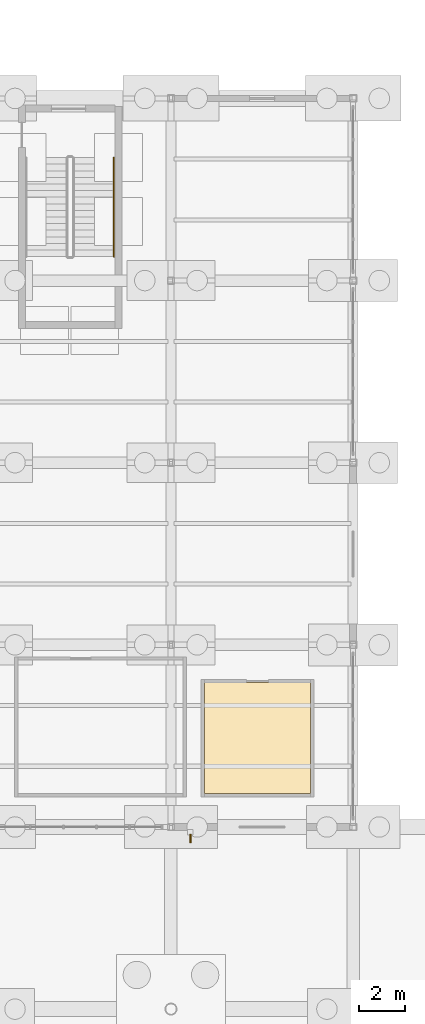
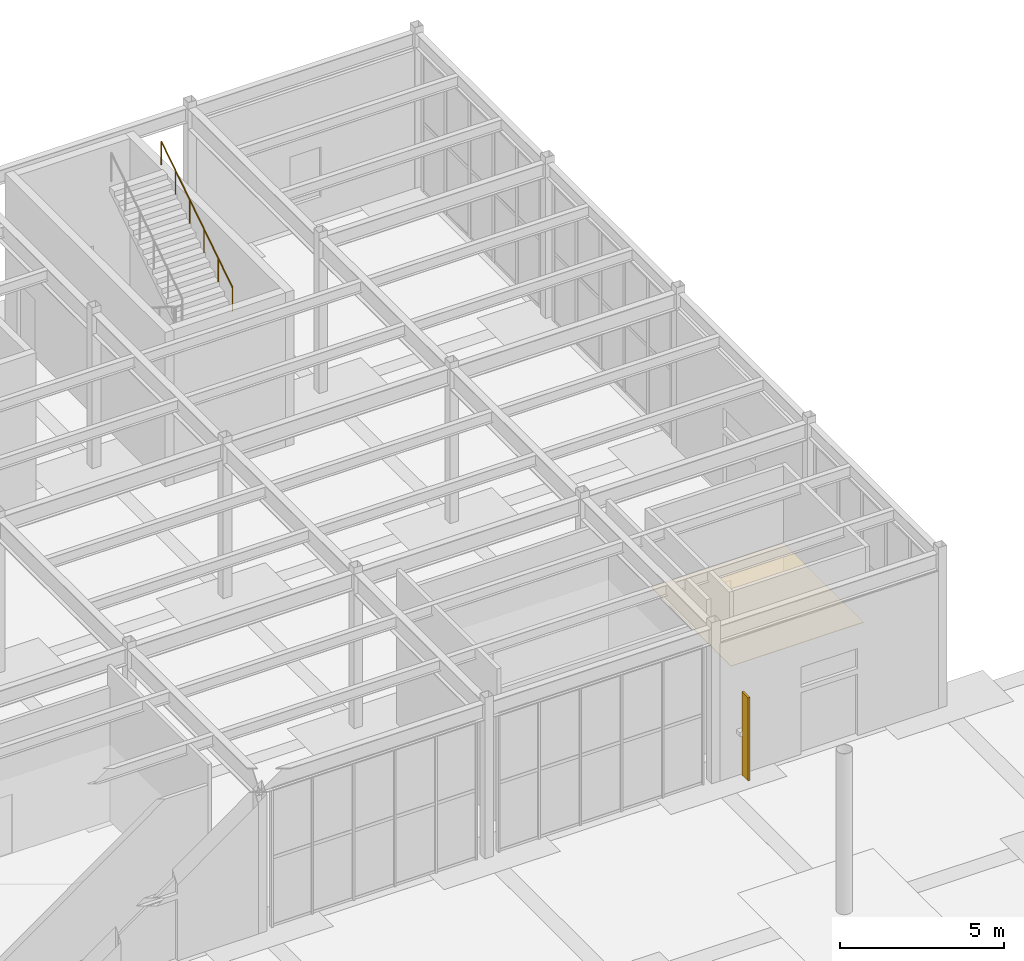
# One storey, part 81 of 82: 1 covering, 1 railing, 1 shading device.
"""IFC4 building model written with IfcOpenShell, lengths in metres."""

from ifc_helpers import new_model, si_unit, direction, frame, origin, origin_2d, place, context, subcontext, project, spatial, polyline, rectangle, circle, outline, extrude, material, layer, layer_set, type_object, element, save


model = new_model("IFC4")

# Units and contexts
model_context = context("Model", 3, precision=1e-05, world=origin(), true_north=direction((0.0, 1.0)))
body_context = subcontext(model_context, "Body", "Model", "MODEL_VIEW")
ifc_project = project(units=[si_unit("LENGTHUNIT", "METRE"), si_unit("AREAUNIT", "SQUARE_METRE"), si_unit("VOLUMEUNIT", "CUBIC_METRE"), si_unit("PLANEANGLEUNIT", "RADIAN"), si_unit("MASSUNIT", "GRAM", prefix="KILO")], contexts=[model_context])

# Site, building, storey
site_placement = place(None, origin())
site = spatial("IfcSite", under=ifc_project, at=site_placement, CompositionType="ELEMENT")
building_placement = place(site_placement, origin())
building = spatial("IfcBuilding", under=site, at=building_placement, Name="Drelvath Fold Interchange", CompositionType="ELEMENT")
storey_placement = place(building_placement, origin())
storey = spatial("IfcBuildingStorey", under=building, at=storey_placement, Name="L00", CompositionType="ELEMENT", Elevation=0.0)

# Covering
ifc_material_1 = material(Name="Perforated Aluminium Acoustic Ceiling", Category="aluminium")
ifc_layer = layer(ifc_material_1, 0.01806640625, Name="Perforated Aluminium Acoustic Ceiling")
ifc_layer_set = layer_set([ifc_layer], Name="Perforated Aluminium Acoustic Ceiling")
covering_type = type_object("IfcCoveringType", Name="CV-CEIL-AL18", PredefinedType="CEILING", material=ifc_layer_set)
covering_placement = place(storey_placement, frame((0.0, 0.0, 2.830078125)))
element("IfcCovering", 1, at=covering_placement, inside=storey, type_object=covering_type, Name="Cycle Hub Accessible WC acoustic ceiling", PredefinedType="CEILING", context=body_context, shape_type="SweptSolid", body=[
    extrude(outline(polyline([(135.462890625, 76.462890625), (140.136962890625, 76.462890625), (140.136962890625, 81.337890625), (135.462890625, 81.337890625), (135.462890625, 76.462890625)])), origin(), (0.0, 0.0, 1.0), 0.02001953125),
])

# Railing
ifc_material_2 = material(Name="Stainless Steel 316L", Category="steel")
railing_type = type_object("IfcRailingType", Name="RL-HND920", PredefinedType="HANDRAIL", material=ifc_material_2)
railing_placement = place(storey_placement, frame((131.489990234375, 100.050048828125, 3.1875)))
element("IfcRailing", 2, at=railing_placement, inside=storey, type_object=railing_type, Name="L00 ST-08 stair handrail 2", PredefinedType="HANDRAIL", context=body_context, shape_type="SweptSolid", body=[
    extrude(circle(Radius=0.02392578125, at=origin_2d()), frame((0.0, 0.0, 0.8759765625), z_axis=(0.0, 0.839755993153, 0.542963969306), x_axis=(-1.0, 0.0, 0.0)), (0.0, 0.0, 1.0), 5.179931640625),
    extrude(circle(Radius=0.02099609375, at=origin_2d()), origin(), (0.0, 0.0, 1.0), 0.851806640625),
    extrude(circle(Radius=0.02099609375, at=origin_2d()), frame((0.0, 0.869873046875, 0.5625)), (0.0, 0.0, 1.0), 0.851806640625),
    extrude(circle(Radius=0.02099609375, at=origin_2d()), frame((0.0, 1.739990234375, 1.125)), (0.0, 0.0, 1.0), 0.851806640625),
    extrude(circle(Radius=0.02099609375, at=origin_2d()), frame((0.0, 2.60986328125, 1.6875)), (0.0, 0.0, 1.0), 0.851806640625),
    extrude(circle(Radius=0.02099609375, at=origin_2d()), frame((0.0, 3.47998046875, 2.25)), (0.0, 0.0, 1.0), 0.851806640625),
    extrude(circle(Radius=0.02099609375, at=origin_2d()), frame((0.0, 4.349853515625, 2.8125)), (0.0, 0.0, 1.0), 0.851806640625),
])

# Shading device
ifc_material_3 = material(Name="Anodized Aluminium 6063-T6", Category="aluminium")
shading_device_type = type_object("IfcShadingDeviceType", Name="SD-FIN380", PredefinedType="JALOUSIE", material=ifc_material_3)
shading_device_placement = place(storey_placement, frame((134.84912109375, 74.492919921875, 0.099853515625), z_axis=(0.0, 0.0, 1.0), x_axis=(0.0, 1.0, 0.0)))
element("IfcShadingDevice", 3, at=shading_device_placement, inside=storey, type_object=shading_device_type, Name="Vertical aluminium solar fin 6", PredefinedType="JALOUSIE", context=body_context, shape_type="SweptSolid", body=[
    extrude(rectangle(XDim=0.3798828125, YDim=0.06494140625, at=origin_2d()), origin(), (0.0, 0.0, 1.0), 3.10009765625),
])

save(model, "model.ifc")
